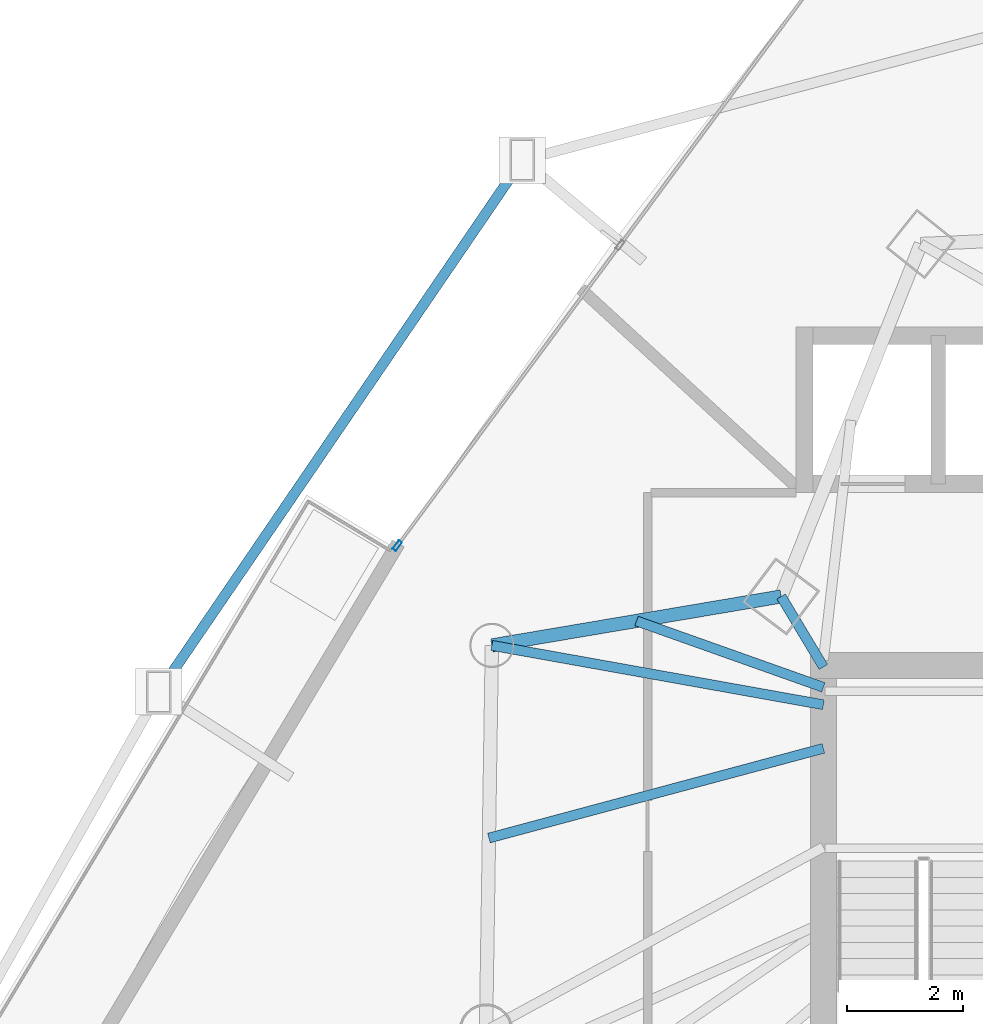
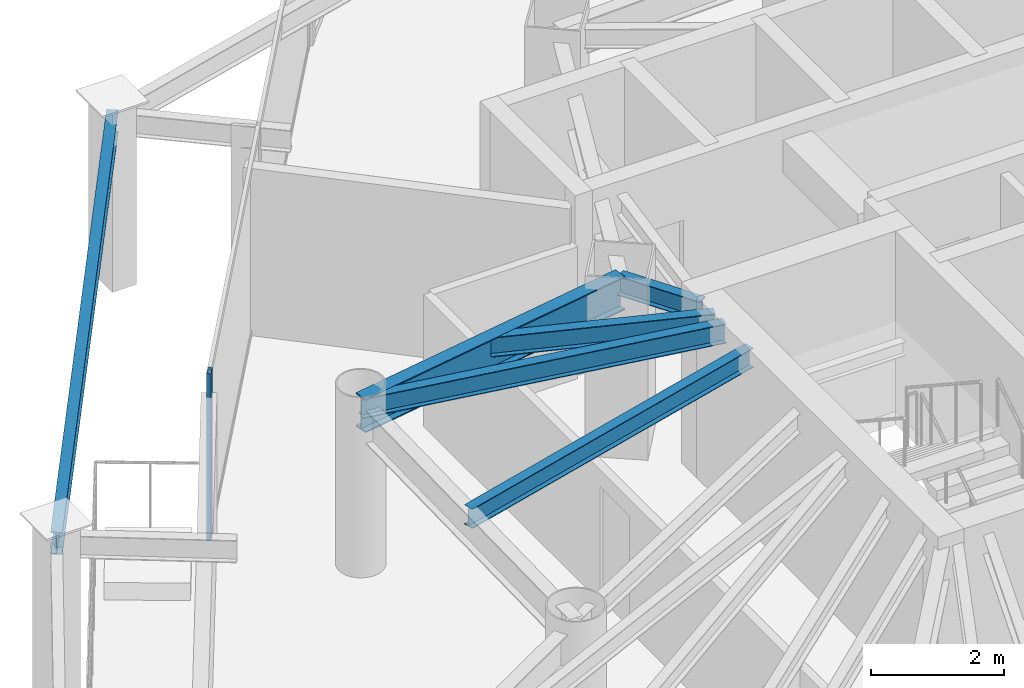
# One storey, part 21 of 35: 6 beams, 1 member, 1 element without a shape of its own.
"""IFC4 building model written with IfcOpenShell, lengths in metres."""

from ifc_helpers import new_model, si_unit, direction, frame, origin, origin_2d, place, context, subcontext, project, spatial, hollow_rectangle, i_section, extrude, material, layer, layer_set, material_profile, profile_set, type_object, element, aggregate, save


model = new_model("IFC4")

# Units and contexts
model_context = context("Model", 3, precision=1e-05, world=origin(), true_north=direction((0.0, 1.0)))
body_context = subcontext(model_context, "Body", "Model", "MODEL_VIEW")
ifc_project = project(units=[si_unit("LENGTHUNIT", "METRE"), si_unit("AREAUNIT", "SQUARE_METRE"), si_unit("VOLUMEUNIT", "CUBIC_METRE"), si_unit("PLANEANGLEUNIT", "RADIAN"), si_unit("MASSUNIT", "GRAM", prefix="KILO")], contexts=[model_context])

# Site, building, storey
site_placement = place(None, origin())
site = spatial("IfcSite", under=ifc_project, at=site_placement, CompositionType="ELEMENT")
building_placement = place(site_placement, origin())
building = spatial("IfcBuilding", under=site, at=building_placement, Name="Orvanel Arch Residences", CompositionType="ELEMENT")
storey_placement = place(building_placement, frame((0.0, 0.0, 40.10009765625)))
storey = spatial("IfcBuildingStorey", under=building, at=storey_placement, Name="L10", CompositionType="ELEMENT", Elevation=40.10009765625)

# Beams
ifc_material_1 = material(Name="Structural steel AS/NZS 3679.1 Grade 300 (300 MPa)", Category="steel")
ifc_material_profile_1 = material_profile(ifc_material_1, i_section(OverallWidth=0.1708984375, OverallDepth=0.35595703125, WebThickness=0.00732421875, FlangeThickness=0.011474609375, at=origin_2d()), Name="360UB50.7")
ifc_profile_set_1 = profile_set([ifc_material_profile_1], Name="Structural steel AS/NZS 3679.1 Grade 300 (300 MPa)")
beam_type_1 = type_object("IfcBeamType", Name="BJ-360UB", PredefinedType="JOIST", material=ifc_profile_set_1)
beam_1_placement = place(storey_placement, frame((26.375, 33.89990234375, 2.8818359375), z_axis=(-0.514064138778, 0.857751748015, 0.0), x_axis=(-0.857751748015, -0.514064138778, 0.0)))
element("IfcBeam", 1, at=beam_1_placement, inside=storey, type_object=beam_type_1, Name="L10 NNW Wing Floor Joist", PredefinedType="JOIST", context=body_context, shape_type="SweptSolid", body=[
    extrude(i_section(OverallWidth=0.1708984375, OverallDepth=0.35595703125, WebThickness=0.00732421875, FlangeThickness=0.011474609375, at=origin_2d()), origin(), (0.0, 0.0, 1.0), 1.414306640625),
])
beam_2_placement = place(storey_placement, frame((26.375, 32.5, 2.8818359375), z_axis=(-0.965844838168, -0.259121107949, 0.0), x_axis=(0.259121107949, -0.965844838168, 0.0)))
element("IfcBeam", 2, at=beam_2_placement, inside=storey, type_object=beam_type_1, Name="L10 WNW Wing Floor Joist", PredefinedType="JOIST", context=body_context, shape_type="SweptSolid", body=[
    extrude(i_section(OverallWidth=0.1708984375, OverallDepth=0.35595703125, WebThickness=0.00732421875, FlangeThickness=0.011474609375, at=origin_2d()), origin(), (0.0, 0.0, 1.0), 5.95849609375),
])
beam_3_placement = place(storey_placement, frame((26.375, 33.25, 2.8818359375), z_axis=(-0.984360855662, 0.176163860766, 0.0), x_axis=(-0.176163860766, -0.984360855662, 0.0)))
element("IfcBeam", 3, at=beam_3_placement, inside=storey, type_object=beam_type_1, Name="L10 LW Wing Floor Joist", PredefinedType="JOIST", context=body_context, shape_type="SweptSolid", body=[
    extrude(i_section(OverallWidth=0.1708984375, OverallDepth=0.35595703125, WebThickness=0.00732421875, FlangeThickness=0.011474609375, at=origin_2d()), origin(), (0.0, 0.0, 1.0), 5.795654296875),
])
beam_4_placement = place(storey_placement, frame((26.375, 33.550048828125, 2.8818359375), z_axis=(-0.942366638377, 0.334582006201, 0.0), x_axis=(-0.334582006201, -0.942366638377, 0.0)))
element("IfcBeam", 4, at=beam_4_placement, inside=storey, type_object=beam_type_1, Name="L10 JADD3 Wing Floor Joist", PredefinedType="JOIST", context=body_context, shape_type="SweptSolid", body=[
    extrude(i_section(OverallWidth=0.1708984375, OverallDepth=0.35595703125, WebThickness=0.00732421875, FlangeThickness=0.011474609375, at=origin_2d()), origin(), (0.0, 0.0, 1.0), 3.412841796875),
])

# Curtain wall, member
ifc_material_2 = material(Name="Bronze-anodised aluminium AA6063-T6", Category="aluminium")
ifc_layer = layer(ifc_material_2, 0.179931640625)
ifc_layer_set = layer_set([ifc_layer], Name="Bronze-anodised aluminium AA6063-T6")
curtain_wall_type = type_object("IfcCurtainWallType", Name="CW2-LOW-SYS", PredefinedType="NOTDEFINED", material=ifc_layer_set)
curtain_wall_placement = place(storey_placement, origin())
curtain_wall = element("IfcCurtainWall", 5, at=curtain_wall_placement, inside=storey, type_object=curtain_wall_type, Name="L10 CW2-LOW-SYS Unitised Curtain Wall", PredefinedType="NOTDEFINED")
ifc_material_profile_2 = material_profile(ifc_material_2, hollow_rectangle(XDim=0.070068359375, YDim=0.179931640625, WallThickness=0.00439453125, at=origin_2d()), Name="ALU180x70x4.5")
ifc_profile_set_2 = profile_set([ifc_material_profile_2], Name="Bronze-anodised aluminium AA6063-T6")
member_type = type_object("IfcMemberType", Name="MUL-180x70", PredefinedType="MULLION", material=ifc_profile_set_2)
member_placement = place(storey_placement, frame((19.041748046875, 35.988037109375, 0.0), z_axis=(0.0, 0.0, 1.0), x_axis=(0.803472332546, -0.595342095633, 0.0)))
member = element("IfcMember", 6, at=member_placement, type_object=member_type, Name="CW-S2 mullion 3", PredefinedType="MULLION", context=body_context, shape_type="SweptSolid", body=[
    extrude(hollow_rectangle(XDim=0.070068359375, YDim=0.179931640625, WallThickness=0.00439453125, at=origin_2d()), origin(), (0.0, 0.0, 1.0), 3.059814453125),
])
aggregate(curtain_wall, [member])

# Beams
ifc_material_profile_3 = material_profile(ifc_material_1, i_section(OverallWidth=0.177978515625, OverallDepth=0.406005859375, WebThickness=0.0078125, FlangeThickness=0.0126953125, at=origin_2d()), Name="410UB59.7")
ifc_profile_set_3 = profile_set([ifc_material_profile_3], Name="Structural steel AS/NZS 3679.1 Grade 300 (300 MPa)")
beam_type_2 = type_object("IfcBeamType", Name="OB-410UB-EXT", PredefinedType="SPANDREL", material=ifc_profile_set_3)
beam_5_placement = place(storey_placement, frame((21.193115234375, 42.623046875, 2.85693359375), z_axis=(-0.564102672435, -0.825704653585, 0.0), x_axis=(0.825704653585, -0.564102672435, 0.0)))
element("IfcBeam", 7, at=beam_5_placement, inside=storey, type_object=beam_type_2, Name="L10 Outer Perimeter Floor Ring Beam 01", PredefinedType="SPANDREL", context=body_context, shape_type="SweptSolid", body=[
    extrude(i_section(OverallWidth=0.177978515625, OverallDepth=0.406005859375, WebThickness=0.0078125, FlangeThickness=0.0126953125, at=origin_2d()), origin(), (0.0, 0.0, 1.0), 11.085205078125),
])
ifc_material_profile_4 = material_profile(ifc_material_1, i_section(OverallWidth=0.22900390625, OverallDepth=0.612060546875, WebThickness=0.011962890625, FlangeThickness=0.01953125, at=origin_2d()), Name="610UB125")
ifc_profile_set_4 = profile_set([ifc_material_profile_4], Name="Structural steel AS/NZS 3679.1 Grade 300 (300 MPa)")
beam_type_3 = type_object("IfcBeamType", Name="SP-610UB", PredefinedType="SPANDREL", material=ifc_profile_set_4)
beam_6_placement = place(storey_placement, frame((25.64794921875, 35.113037109375, 2.75390625), z_axis=(-0.985993733897, -0.166782363326, 0.0), x_axis=(0.166782363326, -0.985993733897, 0.0)))
element("IfcBeam", 8, at=beam_6_placement, inside=storey, type_object=beam_type_3, Name="L10 Perimeter Spandrel Beam 19", PredefinedType="SPANDREL", context=body_context, shape_type="SweptSolid", body=[
    extrude(i_section(OverallWidth=0.22900390625, OverallDepth=0.612060546875, WebThickness=0.011962890625, FlangeThickness=0.01953125, at=origin_2d()), origin(), (0.0, 0.0, 1.0), 5.048828125),
])

save(model, "model.ifc")
